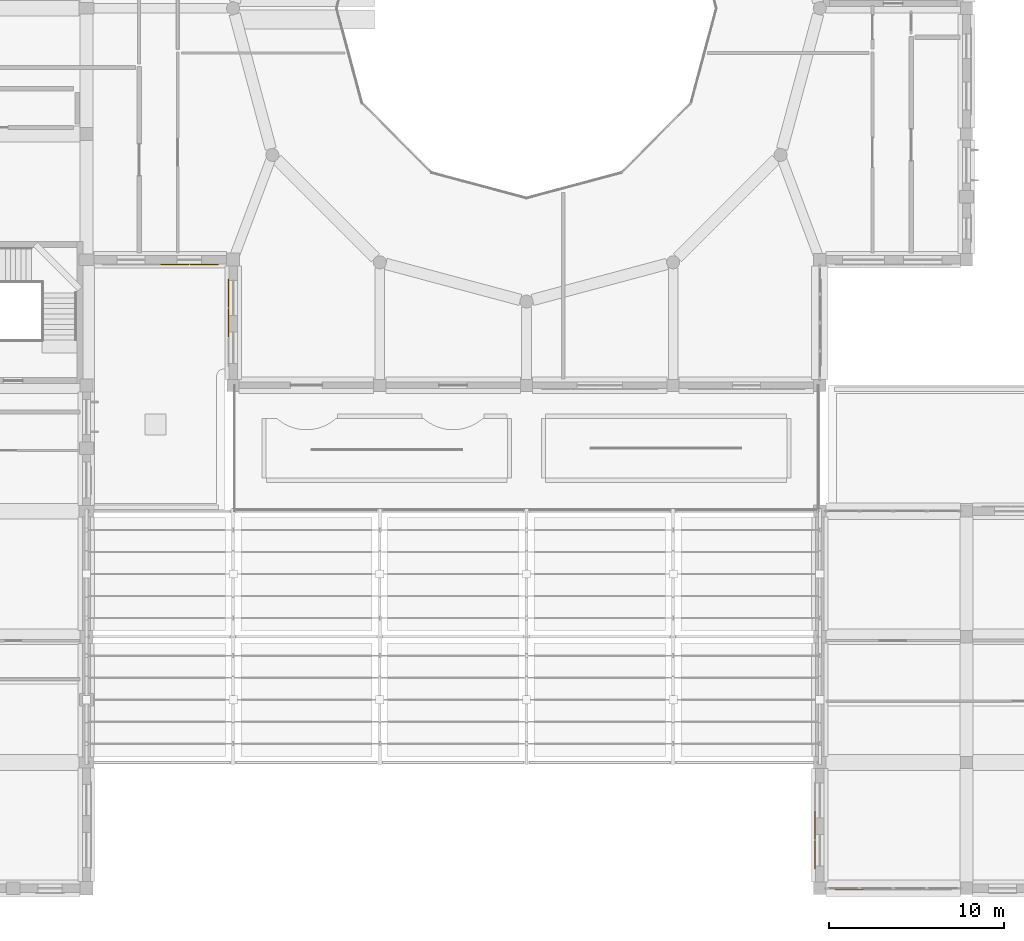
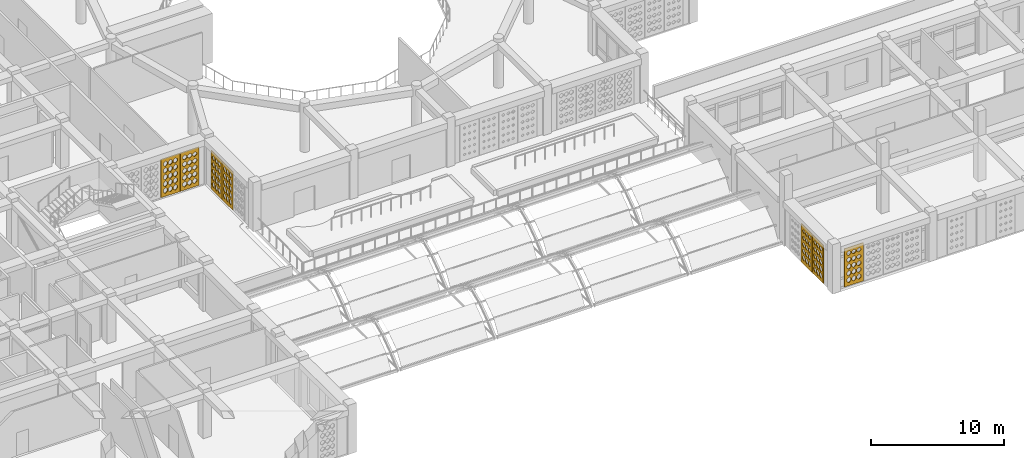
# One storey, part 76 of 100: 7 coverings.
"""IFC4 building model written with IfcOpenShell, lengths in metres."""

from ifc_helpers import new_model, si_unit, derived_unit, direction, frame, origin, place, context, subcontext, project, spatial, polyline, outline, extrude, material, layer, layer_set, type_object, element, save


model = new_model("IFC4")

# Units and contexts
model_context = context("Model", 3, precision=1e-05, world=origin(), true_north=direction((0.0, 1.0)))
body_context = subcontext(model_context, "Body", "Model", "MODEL_VIEW")
ifc_project = project(units=[si_unit("LENGTHUNIT", "METRE"), si_unit("AREAUNIT", "SQUARE_METRE"), si_unit("VOLUMEUNIT", "CUBIC_METRE"), si_unit("PLANEANGLEUNIT", "RADIAN"), si_unit("MASSUNIT", "GRAM", prefix="KILO"), derived_unit("THERMALTRANSMITTANCEUNIT", [(si_unit("POWERUNIT", "WATT"), 1), (si_unit("LENGTHUNIT", "METRE"), -2), (si_unit("THERMODYNAMICTEMPERATUREUNIT", "KELVIN"), -1)])], contexts=[model_context])

# Site, building, storey
site_placement = place(None, origin())
site = spatial("IfcSite", under=ifc_project, at=site_placement, CompositionType="ELEMENT")
building_placement = place(site_placement, origin())
building = spatial("IfcBuilding", under=site, at=building_placement, Name="Veybourne Emporium", CompositionType="ELEMENT")
storey_placement = place(building_placement, frame((0.0, 0.0, 14.39990234375)))
storey = spatial("IfcBuildingStorey", under=building, at=storey_placement, Name="L03", CompositionType="ELEMENT", Elevation=14.39990234375)

# Coverings
ifc_material = material(Name="Warm-White Perforated Aluminium Screen Alloy", Category="aluminium")
ifc_layer_1 = layer(ifc_material, 0.06005859375)
ifc_layer_set_1 = layer_set([ifc_layer_1], Name="Warm-White Perforated Aluminium Screen Alloy")
covering_type_1 = type_object("IfcCoveringType", Name="WaveScreen_SCR-01", PredefinedType="CLADDING", material=ifc_layer_set_1)
covering_1_placement = place(storey_placement, frame((57.14501953125, 35.701904296875, 1.815185546875), z_axis=(0.0, 1.0, 0.0), x_axis=(-1.0, 0.0, 0.0)))
element("IfcCovering", 1, at=covering_1_placement, inside=storey, type_object=covering_type_1, Name="L03 wave-perforated aluminium screen SCR-01 (32.1)", PredefinedType="CLADDING", context=body_context, shape_type="SweptSolid", body=[
    extrude(outline(polyline([(-0.81982421875, -1.7548828125), (0.81982421875, -1.7548828125), (0.81982421875, 1.7548828125), (-0.81982421875, 1.7548828125), (-0.81982421875, -1.7548828125)]), holes=[polyline([(-0.433349609375, -0.966064453125), (-0.2470703125, -1.1337890625), (-0.2470703125, -1.322265625), (-0.433349609375, -1.489990234375), (-0.61962890625, -1.322265625), (-0.61962890625, -1.1337890625), (-0.433349609375, -0.966064453125)]), polyline([(-0.433349609375, -0.36083984375), (-0.2470703125, -0.522705078125), (-0.2470703125, -0.705078125), (-0.433349609375, -0.8671875), (-0.61962890625, -0.705078125), (-0.61962890625, -0.522705078125), (-0.433349609375, -0.36083984375)]), polyline([(-0.433349609375, 0.242919921875), (-0.2470703125, 0.08740234375), (-0.2470703125, -0.08740234375), (-0.433349609375, -0.242919921875), (-0.61962890625, -0.08740234375), (-0.61962890625, 0.08740234375), (-0.433349609375, 0.242919921875)]), polyline([(-0.433349609375, 0.8447265625), (-0.2470703125, 0.697021484375), (-0.2470703125, 0.531005859375), (-0.433349609375, 0.38330078125), (-0.61962890625, 0.531005859375), (-0.61962890625, 0.697021484375), (-0.433349609375, 0.8447265625)]), polyline([(-0.433349609375, 1.44580078125), (-0.2470703125, 1.306396484375), (-0.2470703125, 1.149658203125), (-0.433349609375, 1.01025390625), (-0.61962890625, 1.149658203125), (-0.61962890625, 1.306396484375), (-0.433349609375, 1.44580078125)]), polyline([(0.0, -0.964111328125), (0.186279296875, -1.133056640625), (0.186279296875, -1.322998046875), (0.0, -1.491943359375), (-0.186279296875, -1.322998046875), (-0.186279296875, -1.133056640625), (0.0, -0.964111328125)]), polyline([(0.0, -0.356689453125), (0.186279296875, -0.521240234375), (0.186279296875, -0.706787109375), (0.0, -0.871337890625), (-0.186279296875, -0.706787109375), (-0.186279296875, -0.521240234375), (0.0, -0.356689453125)]), polyline([(0.0, 0.247802734375), (0.186279296875, 0.089111328125), (0.186279296875, -0.089111328125), (0.0, -0.247802734375), (-0.186279296875, -0.089111328125), (-0.186279296875, 0.089111328125), (0.0, 0.247802734375)]), polyline([(0.0, 0.850341796875), (0.186279296875, 0.69921875), (0.186279296875, 0.52880859375), (0.0, 0.377685546875), (-0.186279296875, 0.52880859375), (-0.186279296875, 0.69921875), (0.0, 0.850341796875)]), polyline([(0.0, 1.451904296875), (0.186279296875, 1.30859375), (0.186279296875, 1.1474609375), (0.0, 1.004150390625), (-0.186279296875, 1.1474609375), (-0.186279296875, 1.30859375), (0.0, 1.451904296875)]), polyline([(0.433349609375, -0.964111328125), (0.61962890625, -1.133056640625), (0.61962890625, -1.322998046875), (0.433349609375, -1.491943359375), (0.2470703125, -1.322998046875), (0.2470703125, -1.133056640625), (0.433349609375, -0.964111328125)]), polyline([(0.433349609375, -0.352783203125), (0.61962890625, -0.52001953125), (0.61962890625, -0.7080078125), (0.433349609375, -0.875244140625), (0.2470703125, -0.7080078125), (0.2470703125, -0.52001953125), (0.433349609375, -0.352783203125)]), polyline([(0.433349609375, 0.252197265625), (0.61962890625, 0.0908203125), (0.61962890625, -0.0908203125), (0.433349609375, -0.252197265625), (0.2470703125, -0.0908203125), (0.2470703125, 0.0908203125), (0.433349609375, 0.252197265625)]), polyline([(0.433349609375, 0.855712890625), (0.61962890625, 0.700927734375), (0.61962890625, 0.527099609375), (0.433349609375, 0.372314453125), (0.2470703125, 0.527099609375), (0.2470703125, 0.700927734375), (0.433349609375, 0.855712890625)]), polyline([(0.433349609375, 1.457763671875), (0.61962890625, 1.310791015625), (0.61962890625, 1.145263671875), (0.433349609375, 0.998291015625), (0.2470703125, 1.145263671875), (0.2470703125, 1.310791015625), (0.433349609375, 1.457763671875)])]), origin(), (0.0, 0.0, 1.0), 0.06005859375),
])
covering_2_placement = place(storey_placement, frame((58.501953125, 32.387451171875, 1.815185546875), z_axis=(1.0, 0.0, 0.0), x_axis=(0.0, 1.0, 0.0)))
element("IfcCovering", 2, at=covering_2_placement, inside=storey, type_object=covering_type_1, Name="L03 wave-perforated aluminium screen SCR-01 (35.2)", PredefinedType="CLADDING", context=body_context, shape_type="SweptSolid", body=[
    extrude(outline(polyline([(-0.81982421875, -1.7548828125), (0.81982421875, -1.7548828125), (0.81982421875, 1.7548828125), (-0.81982421875, 1.7548828125), (-0.81982421875, -1.7548828125)]), holes=[polyline([(-0.433349609375, -0.964111328125), (-0.2470703125, -1.133056640625), (-0.2470703125, -1.322998046875), (-0.433349609375, -1.491943359375), (-0.61962890625, -1.322998046875), (-0.61962890625, -1.133056640625), (-0.433349609375, -0.964111328125)]), polyline([(-0.433349609375, -0.35009765625), (-0.2470703125, -0.51904296875), (-0.2470703125, -0.708984375), (-0.433349609375, -0.8779296875), (-0.61962890625, -0.708984375), (-0.61962890625, -0.51904296875), (-0.433349609375, -0.35009765625)]), polyline([(-0.433349609375, 0.263916015625), (-0.2470703125, 0.094970703125), (-0.2470703125, -0.094970703125), (-0.433349609375, -0.263916015625), (-0.61962890625, -0.094970703125), (-0.61962890625, 0.094970703125), (-0.433349609375, 0.263916015625)]), polyline([(-0.433349609375, 0.87548828125), (-0.2470703125, 0.708251953125), (-0.2470703125, 0.519775390625), (-0.433349609375, 0.3525390625), (-0.61962890625, 0.519775390625), (-0.61962890625, 0.708251953125), (-0.433349609375, 0.87548828125)]), polyline([(-0.433349609375, 1.480712890625), (-0.2470703125, 1.319091796875), (-0.2470703125, 1.136962890625), (-0.433349609375, 0.97509765625), (-0.61962890625, 1.136962890625), (-0.61962890625, 1.319091796875), (-0.433349609375, 1.480712890625)]), polyline([(0.0, -0.964111328125), (0.186279296875, -1.133056640625), (0.186279296875, -1.322998046875), (0.0, -1.491943359375), (-0.186279296875, -1.322998046875), (-0.186279296875, -1.133056640625), (0.0, -0.964111328125)]), polyline([(0.0, -0.35009765625), (0.186279296875, -0.51904296875), (0.186279296875, -0.708984375), (0.0, -0.8779296875), (-0.186279296875, -0.708984375), (-0.186279296875, -0.51904296875), (0.0, -0.35009765625)]), polyline([(0.0, 0.263916015625), (0.186279296875, 0.094970703125), (0.186279296875, -0.094970703125), (0.0, -0.263916015625), (-0.186279296875, -0.094970703125), (-0.186279296875, 0.094970703125), (0.0, 0.263916015625)]), polyline([(0.0, 0.871826171875), (0.186279296875, 0.706787109375), (0.186279296875, 0.521240234375), (0.0, 0.356201171875), (-0.186279296875, 0.521240234375), (-0.186279296875, 0.706787109375), (0.0, 0.871826171875)]), polyline([(0.0, 1.476318359375), (0.186279296875, 1.3173828125), (0.186279296875, 1.138671875), (0.0, 0.979736328125), (-0.186279296875, 1.138671875), (-0.186279296875, 1.3173828125), (0.0, 1.476318359375)]), polyline([(0.433349609375, -0.964111328125), (0.61962890625, -1.133056640625), (0.61962890625, -1.322998046875), (0.433349609375, -1.491943359375), (0.2470703125, -1.322998046875), (0.2470703125, -1.133056640625), (0.433349609375, -0.964111328125)]), polyline([(0.433349609375, -0.35009765625), (0.61962890625, -0.51904296875), (0.61962890625, -0.708984375), (0.433349609375, -0.8779296875), (0.2470703125, -0.708984375), (0.2470703125, -0.51904296875), (0.433349609375, -0.35009765625)]), polyline([(0.433349609375, 0.26220703125), (0.61962890625, 0.094482421875), (0.61962890625, -0.094482421875), (0.433349609375, -0.26220703125), (0.2470703125, -0.094482421875), (0.2470703125, 0.094482421875), (0.433349609375, 0.26220703125)]), polyline([(0.433349609375, 0.86767578125), (0.61962890625, 0.705322265625), (0.61962890625, 0.522705078125), (0.433349609375, 0.3603515625), (0.2470703125, 0.522705078125), (0.2470703125, 0.705322265625), (0.433349609375, 0.86767578125)]), polyline([(0.433349609375, 1.47119140625), (0.61962890625, 1.315673828125), (0.61962890625, 1.140380859375), (0.433349609375, 0.984619140625), (0.2470703125, 1.140380859375), (0.2470703125, 1.315673828125), (0.433349609375, 1.47119140625)])]), origin(), (0.0, 0.0, 1.0), 0.06005859375),
])
ifc_layer_2 = layer(ifc_material, 0.06005859375)
ifc_layer_set_2 = layer_set([ifc_layer_2], Name="Warm-White Perforated Aluminium Screen Alloy")
covering_type_2 = type_object("IfcCoveringType", Name="WaveScreen_SCR-02", PredefinedType="CLADDING", material=ifc_layer_set_2)
covering_3_placement = place(storey_placement, frame((55.465087890625, 35.701904296875, 1.815185546875), z_axis=(0.0, 1.0, 0.0), x_axis=(-1.0, 0.0, 0.0)))
element("IfcCovering", 3, at=covering_3_placement, inside=storey, type_object=covering_type_2, Name="L03 wave-perforated aluminium screen SCR-02 (32.2)", PredefinedType="CLADDING", context=body_context, shape_type="SweptSolid", body=[
    extrude(outline(polyline([(-0.81982421875, -1.7548828125), (0.81982421875, -1.7548828125), (0.81982421875, 1.7548828125), (-0.81982421875, 1.7548828125), (-0.81982421875, -1.7548828125)]), holes=[polyline([(-0.433349609375, -0.964111328125), (-0.2470703125, -1.133056640625), (-0.2470703125, -1.322998046875), (-0.433349609375, -1.491943359375), (-0.61962890625, -1.322998046875), (-0.61962890625, -1.133056640625), (-0.433349609375, -0.964111328125)]), polyline([(-0.433349609375, -0.35009765625), (-0.2470703125, -0.51904296875), (-0.2470703125, -0.708984375), (-0.433349609375, -0.8779296875), (-0.61962890625, -0.708984375), (-0.61962890625, -0.51904296875), (-0.433349609375, -0.35009765625)]), polyline([(-0.433349609375, 0.260009765625), (-0.2470703125, 0.093505859375), (-0.2470703125, -0.093505859375), (-0.433349609375, -0.260009765625), (-0.61962890625, -0.093505859375), (-0.61962890625, 0.093505859375), (-0.433349609375, 0.260009765625)]), polyline([(-0.433349609375, 0.86474609375), (-0.2470703125, 0.704345703125), (-0.2470703125, 0.523681640625), (-0.433349609375, 0.36328125), (-0.61962890625, 0.523681640625), (-0.61962890625, 0.704345703125), (-0.433349609375, 0.86474609375)]), polyline([(-0.433349609375, 1.468017578125), (-0.2470703125, 1.314453125), (-0.2470703125, 1.1416015625), (-0.433349609375, 0.988037109375), (-0.61962890625, 1.1416015625), (-0.61962890625, 1.314453125), (-0.433349609375, 1.468017578125)]), polyline([(0.0, -0.964111328125), (0.186279296875, -1.133056640625), (0.186279296875, -1.322998046875), (0.0, -1.491943359375), (-0.186279296875, -1.322998046875), (-0.186279296875, -1.133056640625), (0.0, -0.964111328125)]), polyline([(0.0, -0.35009765625), (0.186279296875, -0.51904296875), (0.186279296875, -0.708984375), (0.0, -0.8779296875), (-0.186279296875, -0.708984375), (-0.186279296875, -0.51904296875), (0.0, -0.35009765625)]), polyline([(0.0, 0.263427734375), (0.186279296875, 0.0947265625), (0.186279296875, -0.0947265625), (0.0, -0.263427734375), (-0.186279296875, -0.0947265625), (-0.186279296875, 0.0947265625), (0.0, 0.263427734375)]), polyline([(0.0, 0.869140625), (0.186279296875, 0.705810546875), (0.186279296875, 0.522216796875), (0.0, 0.35888671875), (-0.186279296875, 0.522216796875), (-0.186279296875, 0.705810546875), (0.0, 0.869140625)]), polyline([(0.0, 1.47314453125), (0.186279296875, 1.316162109375), (0.186279296875, 1.139892578125), (0.0, 0.98291015625), (-0.186279296875, 1.139892578125), (-0.186279296875, 1.316162109375), (0.0, 1.47314453125)]), polyline([(0.433349609375, -0.964111328125), (0.61962890625, -1.133056640625), (0.61962890625, -1.322998046875), (0.433349609375, -1.491943359375), (0.2470703125, -1.322998046875), (0.2470703125, -1.133056640625), (0.433349609375, -0.964111328125)]), polyline([(0.433349609375, -0.35009765625), (0.61962890625, -0.51904296875), (0.61962890625, -0.708984375), (0.433349609375, -0.8779296875), (0.2470703125, -0.708984375), (0.2470703125, -0.51904296875), (0.433349609375, -0.35009765625)]), polyline([(0.433349609375, 0.263916015625), (0.61962890625, 0.094970703125), (0.61962890625, -0.094970703125), (0.433349609375, -0.263916015625), (0.2470703125, -0.094970703125), (0.2470703125, 0.094970703125), (0.433349609375, 0.263916015625)]), polyline([(0.433349609375, 0.873291015625), (0.61962890625, 0.707275390625), (0.61962890625, 0.520751953125), (0.433349609375, 0.354736328125), (0.2470703125, 0.520751953125), (0.2470703125, 0.707275390625), (0.433349609375, 0.873291015625)]), polyline([(0.433349609375, 1.477783203125), (0.61962890625, 1.318115234375), (0.61962890625, 1.137939453125), (0.433349609375, 0.97802734375), (0.2470703125, 1.137939453125), (0.2470703125, 1.318115234375), (0.433349609375, 1.477783203125)])]), origin(), (0.0, 0.0, 1.0), 0.06005859375),
])
covering_4_placement = place(storey_placement, frame((58.501953125, 34.0673828125, 1.815185546875), z_axis=(1.0, 0.0, 0.0), x_axis=(0.0, 1.0, 0.0)))
element("IfcCovering", 4, at=covering_4_placement, inside=storey, type_object=covering_type_2, Name="L03 wave-perforated aluminium screen SCR-02 (35.3)", PredefinedType="CLADDING", context=body_context, shape_type="SweptSolid", body=[
    extrude(outline(polyline([(-0.81982421875, -1.7548828125), (0.81982421875, -1.7548828125), (0.81982421875, 1.7548828125), (-0.81982421875, 1.7548828125), (-0.81982421875, -1.7548828125)]), holes=[polyline([(-0.433349609375, -0.964111328125), (-0.2470703125, -1.133056640625), (-0.2470703125, -1.322998046875), (-0.433349609375, -1.491943359375), (-0.61962890625, -1.322998046875), (-0.61962890625, -1.133056640625), (-0.433349609375, -0.964111328125)]), polyline([(-0.433349609375, -0.3505859375), (-0.2470703125, -0.519287109375), (-0.2470703125, -0.708740234375), (-0.433349609375, -0.87744140625), (-0.61962890625, -0.708740234375), (-0.61962890625, -0.519287109375), (-0.433349609375, -0.3505859375)]), polyline([(-0.433349609375, 0.255126953125), (-0.2470703125, 0.091796875), (-0.2470703125, -0.091796875), (-0.433349609375, -0.255126953125), (-0.61962890625, -0.091796875), (-0.61962890625, 0.091796875), (-0.433349609375, 0.255126953125)]), polyline([(-0.433349609375, 0.85888671875), (-0.2470703125, 0.7021484375), (-0.2470703125, 0.52587890625), (-0.433349609375, 0.368896484375), (-0.61962890625, 0.52587890625), (-0.61962890625, 0.7021484375), (-0.433349609375, 0.85888671875)]), polyline([(-0.433349609375, 1.461181640625), (-0.2470703125, 1.31201171875), (-0.2470703125, 1.14404296875), (-0.433349609375, 0.99462890625), (-0.61962890625, 1.14404296875), (-0.61962890625, 1.31201171875), (-0.433349609375, 1.461181640625)]), polyline([(0.0, -0.964111328125), (0.186279296875, -1.133056640625), (0.186279296875, -1.322998046875), (0.0, -1.491943359375), (-0.186279296875, -1.322998046875), (-0.186279296875, -1.133056640625), (0.0, -0.964111328125)]), polyline([(0.0, -0.354248046875), (0.186279296875, -0.5205078125), (0.186279296875, -0.70751953125), (0.0, -0.873779296875), (-0.186279296875, -0.70751953125), (-0.186279296875, -0.5205078125), (0.0, -0.354248046875)]), polyline([(0.0, 0.250732421875), (0.186279296875, 0.09033203125), (0.186279296875, -0.09033203125), (0.0, -0.250732421875), (-0.186279296875, -0.09033203125), (-0.186279296875, 0.09033203125), (0.0, 0.250732421875)]), polyline([(0.0, 0.853759765625), (0.186279296875, 0.7001953125), (0.186279296875, 0.527587890625), (0.0, 0.374267578125), (-0.186279296875, 0.527587890625), (-0.186279296875, 0.7001953125), (0.0, 0.853759765625)]), polyline([(0.0, 1.45556640625), (0.186279296875, 1.309814453125), (0.186279296875, 1.14599609375), (0.0, 1.00048828125), (-0.186279296875, 1.14599609375), (-0.186279296875, 1.309814453125), (0.0, 1.45556640625)]), polyline([(0.433349609375, -0.964111328125), (0.61962890625, -1.133056640625), (0.61962890625, -1.322998046875), (0.433349609375, -1.491943359375), (0.2470703125, -1.322998046875), (0.2470703125, -1.133056640625), (0.433349609375, -0.964111328125)]), polyline([(0.433349609375, -0.358154296875), (0.61962890625, -0.52197265625), (0.61962890625, -0.7060546875), (0.433349609375, -0.869873046875), (0.2470703125, -0.7060546875), (0.2470703125, -0.52197265625), (0.433349609375, -0.358154296875)]), polyline([(0.433349609375, 0.24609375), (0.61962890625, 0.08837890625), (0.61962890625, -0.08837890625), (0.433349609375, -0.24609375), (0.2470703125, -0.08837890625), (0.2470703125, 0.08837890625), (0.433349609375, 0.24609375)]), polyline([(0.433349609375, 0.848388671875), (0.61962890625, 0.698486328125), (0.61962890625, 0.529541015625), (0.433349609375, 0.379638671875), (0.2470703125, 0.529541015625), (0.2470703125, 0.698486328125), (0.433349609375, 0.848388671875)]), polyline([(0.433349609375, 1.44970703125), (0.61962890625, 1.307861328125), (0.61962890625, 1.148193359375), (0.433349609375, 1.00634765625), (0.2470703125, 1.148193359375), (0.2470703125, 1.307861328125), (0.433349609375, 1.44970703125)])]), origin(), (0.0, 0.0, 1.0), 0.06005859375),
])
covering_5_placement = place(storey_placement, frame((92.10205078125, 1.919921875, 1.815185546875), z_axis=(1.0, 0.0, 0.0), x_axis=(0.0, 1.0, 0.0)))
element("IfcCovering", 5, at=covering_5_placement, inside=storey, type_object=covering_type_2, Name="L03 wave-perforated aluminium screen SCR-02 (49.1)", PredefinedType="CLADDING", context=body_context, shape_type="SweptSolid", body=[
    extrude(outline(polyline([(-0.81982421875, -1.7548828125), (0.81982421875, -1.7548828125), (0.81982421875, 1.7548828125), (-0.81982421875, 1.7548828125), (-0.81982421875, -1.7548828125)]), holes=[polyline([(-0.433349609375, -0.96875), (-0.2470703125, -1.134765625), (-0.2470703125, -1.3212890625), (-0.433349609375, -1.4873046875), (-0.61962890625, -1.3212890625), (-0.61962890625, -1.134765625), (-0.433349609375, -0.96875)]), polyline([(-0.433349609375, -0.364013671875), (-0.2470703125, -0.52392578125), (-0.2470703125, -0.7041015625), (-0.433349609375, -0.864013671875), (-0.61962890625, -0.7041015625), (-0.61962890625, -0.52392578125), (-0.433349609375, -0.364013671875)]), polyline([(-0.433349609375, 0.239013671875), (-0.2470703125, 0.086181640625), (-0.2470703125, -0.086181640625), (-0.433349609375, -0.239013671875), (-0.61962890625, -0.086181640625), (-0.61962890625, 0.086181640625), (-0.433349609375, 0.239013671875)]), polyline([(-0.433349609375, 0.8408203125), (-0.2470703125, 0.695556640625), (-0.2470703125, 0.532470703125), (-0.433349609375, 0.38720703125), (-0.61962890625, 0.532470703125), (-0.61962890625, 0.695556640625), (-0.433349609375, 0.8408203125)]), polyline([(-0.433349609375, 1.44140625), (-0.248779296875, 1.3046875), (-0.248779296875, 1.151123046875), (-0.433349609375, 1.0146484375), (-0.617919921875, 1.151123046875), (-0.617919921875, 1.3046875), (-0.433349609375, 1.44140625)]), polyline([(0.0, -0.97265625), (0.186279296875, -1.135986328125), (0.186279296875, -1.31982421875), (0.0, -1.4833984375), (-0.186279296875, -1.31982421875), (-0.186279296875, -1.135986328125), (0.0, -0.97265625)]), polyline([(0.0, -0.368896484375), (0.186279296875, -0.525634765625), (0.186279296875, -0.702392578125), (0.0, -0.859130859375), (-0.186279296875, -0.702392578125), (-0.186279296875, -0.525634765625), (0.0, -0.368896484375)]), polyline([(0.0, 0.233642578125), (0.186279296875, 0.083984375), (0.186279296875, -0.083984375), (0.0, -0.233642578125), (-0.186279296875, -0.083984375), (-0.186279296875, 0.083984375), (0.0, 0.233642578125)]), polyline([(0.0, 0.834716796875), (0.186279296875, 0.693603515625), (0.186279296875, 0.534423828125), (0.0, 0.393310546875), (-0.186279296875, 0.534423828125), (-0.186279296875, 0.693603515625), (0.0, 0.834716796875)]), polyline([(0.0, 1.43505859375), (0.179443359375, 1.302490234375), (0.179443359375, 1.1533203125), (0.0, 1.02099609375), (-0.179443359375, 1.1533203125), (-0.179443359375, 1.302490234375), (0.0, 1.43505859375)]), polyline([(0.433349609375, -0.97705078125), (0.61962890625, -1.1376953125), (0.61962890625, -1.318359375), (0.433349609375, -1.47900390625), (0.2470703125, -1.318359375), (0.2470703125, -1.1376953125), (0.433349609375, -0.97705078125)]), polyline([(0.433349609375, -0.373779296875), (0.61962890625, -0.527587890625), (0.61962890625, -0.700439453125), (0.433349609375, -0.85400390625), (0.2470703125, -0.700439453125), (0.2470703125, -0.527587890625), (0.433349609375, -0.373779296875)]), polyline([(0.433349609375, 0.227783203125), (0.61962890625, 0.08203125), (0.61962890625, -0.08203125), (0.433349609375, -0.227783203125), (0.2470703125, -0.08203125), (0.2470703125, 0.08203125), (0.433349609375, 0.227783203125)]), polyline([(0.433349609375, 0.82861328125), (0.618896484375, 0.69140625), (0.618896484375, 0.53662109375), (0.433349609375, 0.3994140625), (0.247802734375, 0.53662109375), (0.247802734375, 0.69140625), (0.433349609375, 0.82861328125)]), polyline([(0.433349609375, 1.4287109375), (0.607666015625, 1.30029296875), (0.607666015625, 1.15576171875), (0.433349609375, 1.02734375), (0.259033203125, 1.15576171875), (0.259033203125, 1.30029296875), (0.433349609375, 1.4287109375)])]), origin(), (0.0, 0.0, 1.0), 0.06005859375),
])
ifc_layer_3 = layer(ifc_material, 0.06005859375)
ifc_layer_set_3 = layer_set([ifc_layer_3], Name="Warm-White Perforated Aluminium Screen Alloy")
covering_type_3 = type_object("IfcCoveringType", Name="WaveScreen_SCR-03", PredefinedType="CLADDING", material=ifc_layer_set_3)
covering_6_placement = place(storey_placement, frame((92.10205078125, 3.60009765625, 1.815185546875), z_axis=(1.0, 0.0, 0.0), x_axis=(0.0, 1.0, 0.0)))
element("IfcCovering", 6, at=covering_6_placement, inside=storey, type_object=covering_type_3, Name="L03 wave-perforated aluminium screen SCR-03 (49.2)", PredefinedType="CLADDING", context=body_context, shape_type="SweptSolid", body=[
    extrude(outline(polyline([(-0.81982421875, -1.7548828125), (0.81982421875, -1.7548828125), (0.81982421875, 1.7548828125), (-0.81982421875, 1.7548828125), (-0.81982421875, -1.7548828125)]), holes=[polyline([(-0.433349609375, -0.986083984375), (-0.2470703125, -1.140869140625), (-0.2470703125, -1.315185546875), (-0.433349609375, -1.4697265625), (-0.61962890625, -1.315185546875), (-0.61962890625, -1.140869140625), (-0.433349609375, -0.986083984375)]), polyline([(-0.433349609375, -0.38427734375), (-0.2470703125, -0.53125), (-0.2470703125, -0.69677734375), (-0.433349609375, -0.84375), (-0.61962890625, -0.69677734375), (-0.61962890625, -0.53125), (-0.433349609375, -0.38427734375)]), polyline([(-0.433349609375, 0.216796875), (-0.2470703125, 0.077880859375), (-0.2470703125, -0.077880859375), (-0.433349609375, -0.216796875), (-0.61962890625, -0.077880859375), (-0.61962890625, 0.077880859375), (-0.433349609375, 0.216796875)]), polyline([(-0.433349609375, 0.81689453125), (-0.25732421875, 0.68701171875), (-0.25732421875, 0.541015625), (-0.433349609375, 0.4111328125), (-0.609375, 0.541015625), (-0.609375, 0.68701171875), (-0.433349609375, 0.81689453125)]), polyline([(-0.433349609375, 1.416748046875), (-0.26904296875, 1.2958984375), (-0.26904296875, 1.16015625), (-0.433349609375, 1.039306640625), (-0.59765625, 1.16015625), (-0.59765625, 1.2958984375), (-0.433349609375, 1.416748046875)]), polyline([(0.0, -0.991455078125), (0.186279296875, -1.142822265625), (0.186279296875, -1.313232421875), (0.0, -1.464599609375), (-0.186279296875, -1.313232421875), (-0.186279296875, -1.142822265625), (0.0, -0.991455078125)]), polyline([(0.0, -0.389892578125), (0.186279296875, -0.533447265625), (0.186279296875, -0.694580078125), (0.0, -0.837890625), (-0.186279296875, -0.694580078125), (-0.186279296875, -0.533447265625), (0.0, -0.389892578125)]), polyline([(0.0, 0.21044921875), (0.18212890625, 0.07568359375), (0.18212890625, -0.07568359375), (0.0, -0.21044921875), (-0.18212890625, -0.07568359375), (-0.18212890625, 0.07568359375), (0.0, 0.21044921875)]), polyline([(0.0, 0.810302734375), (0.170654296875, 0.684814453125), (0.170654296875, 0.543212890625), (0.0, 0.41748046875), (-0.170654296875, 0.543212890625), (-0.170654296875, 0.684814453125), (0.0, 0.810302734375)]), polyline([(0.0, 1.41015625), (0.1591796875, 1.293701171875), (0.1591796875, 1.162353515625), (0.0, 1.0458984375), (-0.1591796875, 1.162353515625), (-0.1591796875, 1.293701171875), (0.0, 1.41015625)]), polyline([(0.433349609375, -0.9970703125), (0.61962890625, -1.14501953125), (0.61962890625, -1.31103515625), (0.433349609375, -1.458984375), (0.2470703125, -1.31103515625), (0.2470703125, -1.14501953125), (0.433349609375, -0.9970703125)]), polyline([(0.433349609375, -0.39599609375), (0.61962890625, -0.53564453125), (0.61962890625, -0.6923828125), (0.433349609375, -0.831787109375), (0.2470703125, -0.6923828125), (0.2470703125, -0.53564453125), (0.433349609375, -0.39599609375)]), polyline([(0.433349609375, 0.2041015625), (0.6103515625, 0.073486328125), (0.6103515625, -0.073486328125), (0.433349609375, -0.2041015625), (0.25634765625, -0.073486328125), (0.25634765625, 0.073486328125), (0.433349609375, 0.2041015625)]), polyline([(0.433349609375, 0.803955078125), (0.598876953125, 0.682373046875), (0.598876953125, 0.545654296875), (0.433349609375, 0.424072265625), (0.267822265625, 0.545654296875), (0.267822265625, 0.682373046875), (0.433349609375, 0.803955078125)]), polyline([(0.433349609375, 1.40380859375), (0.587158203125, 1.291259765625), (0.587158203125, 1.164794921875), (0.433349609375, 1.052001953125), (0.279296875, 1.164794921875), (0.279296875, 1.291259765625), (0.433349609375, 1.40380859375)])]), origin(), (0.0, 0.0, 1.0), 0.06005859375),
])
ifc_layer_4 = layer(ifc_material, 0.06005859375)
ifc_layer_set_4 = layer_set([ifc_layer_4], Name="Warm-White Perforated Aluminium Screen Alloy")
covering_type_4 = type_object("IfcCoveringType", Name="WaveScreen_SCR-04", PredefinedType="CLADDING", material=ifc_layer_set_4)
covering_7_placement = place(storey_placement, frame((94.080078125, -0.096923828125, 1.815185546875), z_axis=(0.0, 1.0, 0.0), x_axis=(-1.0, 0.0, 0.0)))
element("IfcCovering", 7, at=covering_7_placement, inside=storey, type_object=covering_type_4, Name="L03 wave-perforated aluminium screen SCR-04 (48C.4)", PredefinedType="CLADDING", context=body_context, shape_type="SweptSolid", body=[
    extrude(outline(polyline([(-0.81982421875, -1.7548828125), (0.81982421875, -1.7548828125), (0.81982421875, 1.7548828125), (-0.81982421875, 1.7548828125), (-0.81982421875, -1.7548828125)]), holes=[polyline([(-0.433349609375, -0.9765625), (-0.2470703125, -1.137451171875), (-0.2470703125, -1.318603515625), (-0.433349609375, -1.4794921875), (-0.61962890625, -1.318603515625), (-0.61962890625, -1.137451171875), (-0.433349609375, -0.9765625)]), polyline([(-0.433349609375, -0.373291015625), (-0.2470703125, -0.52734375), (-0.2470703125, -0.70068359375), (-0.433349609375, -0.8544921875), (-0.61962890625, -0.70068359375), (-0.61962890625, -0.52734375), (-0.433349609375, -0.373291015625)]), polyline([(-0.433349609375, 0.228515625), (-0.2470703125, 0.082275390625), (-0.2470703125, -0.082275390625), (-0.433349609375, -0.228515625), (-0.61962890625, -0.082275390625), (-0.61962890625, 0.082275390625), (-0.433349609375, 0.228515625)]), polyline([(-0.433349609375, 0.8291015625), (-0.247314453125, 0.69140625), (-0.247314453125, 0.53662109375), (-0.433349609375, 0.398681640625), (-0.619384765625, 0.53662109375), (-0.619384765625, 0.69140625), (-0.433349609375, 0.8291015625)]), polyline([(-0.433349609375, 1.42919921875), (-0.258544921875, 1.300537109375), (-0.258544921875, 1.155517578125), (-0.433349609375, 1.026611328125), (-0.60791015625, 1.155517578125), (-0.60791015625, 1.300537109375), (-0.433349609375, 1.42919921875)]), polyline([(0.0, -0.972412109375), (0.186279296875, -1.135986328125), (0.186279296875, -1.320068359375), (0.0, -1.483642578125), (-0.186279296875, -1.320068359375), (-0.186279296875, -1.135986328125), (0.0, -0.972412109375)]), polyline([(0.0, -0.368408203125), (0.186279296875, -0.525634765625), (0.186279296875, -0.702392578125), (0.0, -0.859619140625), (-0.186279296875, -0.702392578125), (-0.186279296875, -0.525634765625), (0.0, -0.368408203125)]), polyline([(0.0, 0.234130859375), (0.186279296875, 0.084228515625), (0.186279296875, -0.084228515625), (0.0, -0.234130859375), (-0.186279296875, -0.084228515625), (-0.186279296875, 0.084228515625), (0.0, 0.234130859375)]), polyline([(0.0, 0.835205078125), (0.186279296875, 0.693603515625), (0.186279296875, 0.5341796875), (0.0, 0.392578125), (-0.186279296875, 0.5341796875), (-0.186279296875, 0.693603515625), (0.0, 0.835205078125)]), polyline([(0.0, 1.435791015625), (0.179931640625, 1.302734375), (0.179931640625, 1.1533203125), (0.0, 1.020263671875), (-0.179931640625, 1.1533203125), (-0.179931640625, 1.302734375), (0.0, 1.435791015625)]), polyline([(0.433349609375, -0.968505859375), (0.61962890625, -1.134521484375), (0.61962890625, -1.321533203125), (0.433349609375, -1.487548828125), (0.2470703125, -1.321533203125), (0.2470703125, -1.134521484375), (0.433349609375, -0.968505859375)]), polyline([(0.433349609375, -0.363525390625), (0.61962890625, -0.523681640625), (0.61962890625, -0.7041015625), (0.433349609375, -0.864501953125), (0.2470703125, -0.7041015625), (0.2470703125, -0.523681640625), (0.433349609375, -0.363525390625)]), polyline([(0.433349609375, 0.239501953125), (0.61962890625, 0.086181640625), (0.61962890625, -0.086181640625), (0.433349609375, -0.239501953125), (0.2470703125, -0.086181640625), (0.2470703125, 0.086181640625), (0.433349609375, 0.239501953125)]), polyline([(0.433349609375, 0.84130859375), (0.61962890625, 0.69580078125), (0.61962890625, 0.5322265625), (0.433349609375, 0.38671875), (0.2470703125, 0.5322265625), (0.2470703125, 0.69580078125), (0.433349609375, 0.84130859375)]), polyline([(0.433349609375, 1.44189453125), (0.618408203125, 1.304931640625), (0.618408203125, 1.15087890625), (0.433349609375, 1.01416015625), (0.248291015625, 1.15087890625), (0.248291015625, 1.304931640625), (0.433349609375, 1.44189453125)])]), origin(), (0.0, 0.0, 1.0), 0.06005859375),
])

save(model, "model.ifc")
